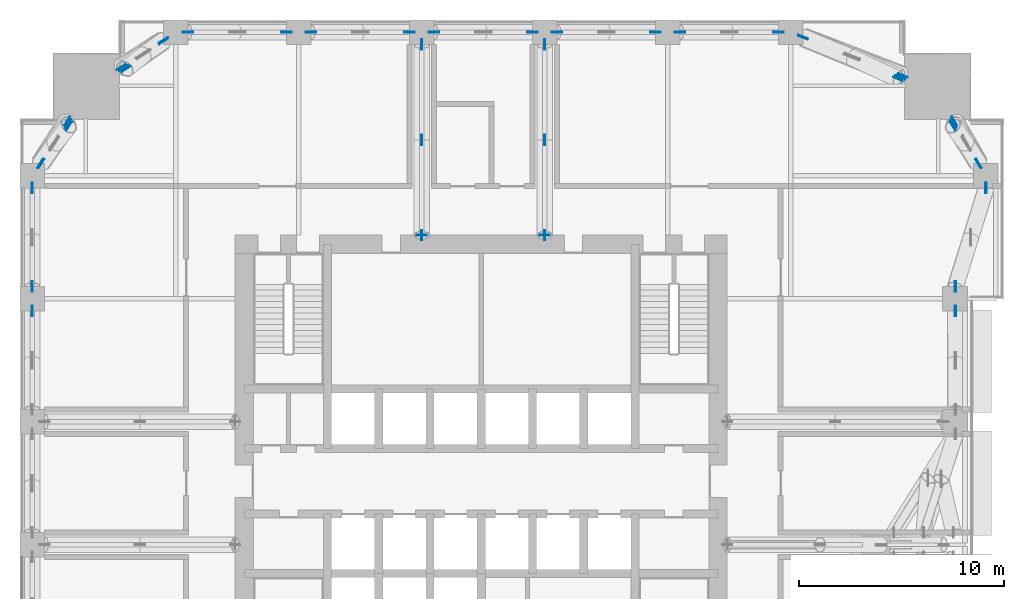
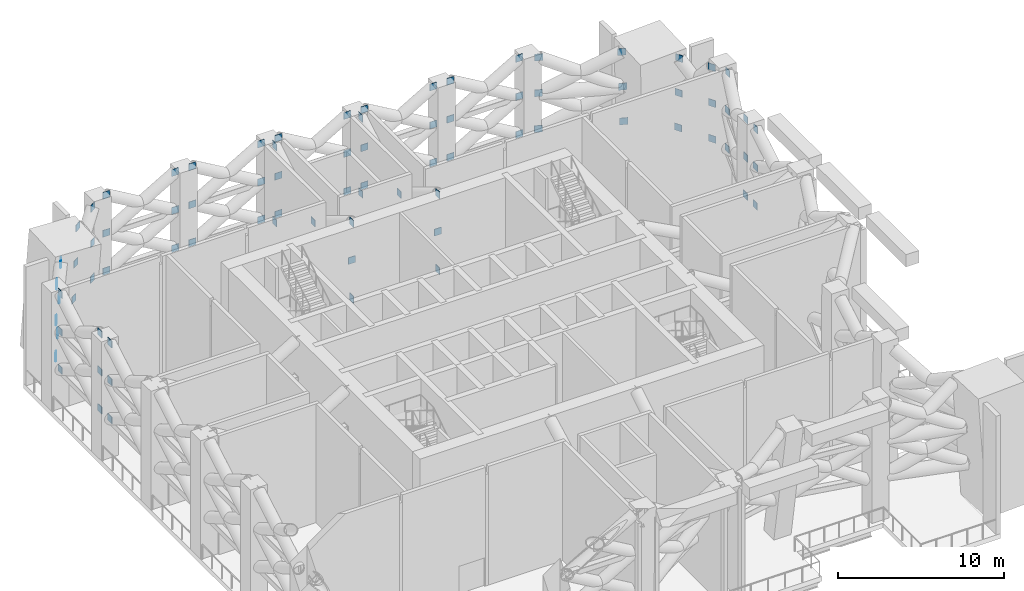
# One storey, part 14 of 18: 84 discrete accessories.
"""IFC4 building model written with IfcOpenShell, lengths in metres."""

from ifc_helpers import new_model, si_unit, direction, frame, origin, origin_2d, place, context, subcontext, project, spatial, rectangle, extrude, element, save


model = new_model("IFC4")

# Units and contexts
model_context = context("Model", 3, precision=1e-05, world=origin(), true_north=direction((0.0, 1.0)))
body_context = subcontext(model_context, "Body", "Model", "MODEL_VIEW")
ifc_project = project(units=[si_unit("LENGTHUNIT", "METRE"), si_unit("AREAUNIT", "SQUARE_METRE"), si_unit("VOLUMEUNIT", "CUBIC_METRE"), si_unit("PLANEANGLEUNIT", "RADIAN"), si_unit("MASSUNIT", "GRAM", prefix="KILO")], contexts=[model_context])

# Site, building, storey
site_placement = place(None, origin())
site = spatial("IfcSite", under=ifc_project, at=site_placement, CompositionType="ELEMENT")
building_placement = place(site_placement, origin())
building = spatial("IfcBuilding", under=site, at=building_placement, Name="Amberfall Residences", CompositionType="ELEMENT")
storey_placement = place(building_placement, frame((0.0, 0.0, 69.699951171875)))
storey = spatial("IfcBuildingStorey", under=building, at=storey_placement, Name="L19", CompositionType="ELEMENT", Elevation=69.699951171875)

# Discrete accessories
discrete_accessory_1_placement = place(storey_placement, frame((71.60009765625, 57.5, 5.449951171875), z_axis=(0.0, 0.0, 1.0), x_axis=(0.0, 1.0, 0.0)))
element("IfcDiscreteAccessory", 1, at=discrete_accessory_1_placement, inside=storey, Name="Cast-in plate L19", PredefinedType="BRACKET", context=body_context, shape_type="SweptSolid", body=[
    extrude(rectangle(XDim=0.0400390625, YDim=0.5, at=origin_2d()), origin(), (0.0, 0.0, 1.0), 0.5),
])
for number, where, z_axis, x_axis, name in (
    (2, (71.60009765625, 66.800048828125, 2.650146484375), (0.0, 0.0, 1.0), (0.0, 1.0, 0.0), "Connection plate L19"),
    (3, (71.60009765625, 62.14990234375, 5.449951171875), (0.0, 0.0, 1.0), (0.0, 1.0, 0.0), "Connection plate L19"),
    (4, (71.60009765625, 57.5, 2.650146484375), (0.0, 0.0, 1.0), (0.0, 1.0, 0.0), "Connection plate L19"),
    (5, (71.60009765625, 66.800048828125, 8.25), (0.0, 0.0, 1.0), (0.0, 1.0, 0.0), "Connection plate L19"),
    (6, (71.60009765625, 57.5, 8.25), (0.0, 0.0, 1.0), (0.0, 1.0, 0.0), "Connection plate L19"),
):
    element("IfcDiscreteAccessory", number, at=place(storey_placement, frame(where, z_axis=z_axis, x_axis=x_axis)), inside=storey, Name=name, PredefinedType="BRACKET", context=body_context, shape_type="SweptSolid", body=[
        extrude(rectangle(XDim=0.5, YDim=0.0400390625, at=origin_2d()), origin(), (0.0, 0.0, 1.0), 0.5),
    ])
discrete_accessory_2_placement = place(storey_placement, frame((77.60009765625, 57.5, 5.449951171875), z_axis=(0.0, 0.0, 1.0), x_axis=(0.0, 1.0, 0.0)))
element("IfcDiscreteAccessory", 7, at=discrete_accessory_2_placement, inside=storey, Name="Cast-in plate L19", PredefinedType="BRACKET", context=body_context, shape_type="SweptSolid", body=[
    extrude(rectangle(XDim=0.0400390625, YDim=0.5, at=origin_2d()), origin(), (0.0, 0.0, 1.0), 0.5),
])
for number, where, z_axis, x_axis, name in (
    (8, (77.60009765625, 66.800048828125, 2.650146484375), (0.0, 0.0, 1.0), (0.0, 1.0, 0.0), "Connection plate L19"),
    (9, (77.60009765625, 62.14990234375, 5.449951171875), (0.0, 0.0, 1.0), (0.0, 1.0, 0.0), "Connection plate L19"),
    (10, (77.60009765625, 57.5, 2.650146484375), (0.0, 0.0, 1.0), (0.0, 1.0, 0.0), "Connection plate L19"),
    (11, (77.60009765625, 66.800048828125, 8.25), (0.0, 0.0, 1.0), (0.0, 1.0, 0.0), "Connection plate L19"),
    (12, (77.60009765625, 57.5, 8.25), (0.0, 0.0, 1.0), (0.0, 1.0, 0.0), "Connection plate L19"),
    (13, (97.63232421875, 53.800048828125, 5.449951171875), (0.0, 0.0, 1.0), (0.0, 1.0, 0.0), "Connection plate L19"),
    (14, (97.617431640625, 53.800048828125, 2.650146484375), (0.0, 0.0, 1.0), (0.0, 1.0, 0.0), "Connection plate L19"),
    (15, (97.647216796875, 53.800048828125, 8.25), (0.0, 0.0, 1.0), (0.0, 1.0, 0.0), "Connection plate L19"),
    (16, (97.617431640625, 55.0, 2.650146484375), (0.0, 0.0, 1.0), (0.0, 1.0, 0.0), "Connection plate L19"),
    (17, (99.13232421875, 59.800048828125, 5.449951171875), (0.0, 0.0, 1.0), (0.0, 1.0, 0.0), "Connection plate L19"),
    (18, (97.63232421875, 55.0, 5.449951171875), (0.0, 0.0, 1.0), (0.0, 1.0, 0.0), "Connection plate L19"),
    (19, (99.117431640625, 59.800048828125, 2.650146484375), (0.0, 0.0, 1.0), (0.0, 1.0, 0.0), "Connection plate L19"),
    (20, (99.147216796875, 59.800048828125, 8.25), (0.0, 0.0, 1.0), (0.0, 1.0, 0.0), "Connection plate L19"),
    (21, (97.647216796875, 55.0, 8.25), (0.0, 0.0, 1.0), (0.0, 1.0, 0.0), "Connection plate L19"),
    (22, (60.199951171875, 67.39990234375, 2.650146484375), (0.0, 0.0, 1.0), (1.0, 0.0, 0.0), "Connection plate L19"),
    (23, (65.0, 67.39990234375, 5.449951171875), (0.0, 0.0, 1.0), (1.0, 0.0, 0.0), "Connection plate L19"),
    (24, (60.199951171875, 67.39990234375, 5.449951171875), (0.0, 0.0, 1.0), (1.0, 0.0, 0.0), "Connection plate L19"),
    (25, (65.0, 67.39990234375, 2.650146484375), (0.0, 0.0, 1.0), (1.0, 0.0, 0.0), "Connection plate L19"),
    (26, (65.0, 67.39990234375, 8.25), (0.0, 0.0, 1.0), (1.0, 0.0, 0.0), "Connection plate L19"),
    (27, (60.199951171875, 67.39990234375, 8.25), (0.0, 0.0, 1.0), (1.0, 0.0, 0.0), "Connection plate L19"),
    (28, (66.199951171875, 67.39990234375, 2.650146484375), (0.0, 0.0, 1.0), (1.0, 0.0, 0.0), "Connection plate L19"),
    (29, (71.0, 67.39990234375, 5.449951171875), (0.0, 0.0, 1.0), (1.0, 0.0, 0.0), "Connection plate L19"),
    (30, (66.199951171875, 67.39990234375, 5.449951171875), (0.0, 0.0, 1.0), (1.0, 0.0, 0.0), "Connection plate L19"),
    (31, (71.0, 67.39990234375, 2.650146484375), (0.0, 0.0, 1.0), (1.0, 0.0, 0.0), "Connection plate L19"),
    (32, (71.0, 67.39990234375, 8.25), (0.0, 0.0, 1.0), (1.0, 0.0, 0.0), "Connection plate L19"),
    (33, (66.199951171875, 67.39990234375, 8.25), (0.0, 0.0, 1.0), (1.0, 0.0, 0.0), "Connection plate L19"),
    (34, (72.199951171875, 67.39990234375, 2.650146484375), (0.0, 0.0, 1.0), (1.0, 0.0, 0.0), "Connection plate L19"),
    (35, (77.0, 67.39990234375, 5.449951171875), (0.0, 0.0, 1.0), (1.0, 0.0, 0.0), "Connection plate L19"),
    (36, (72.199951171875, 67.39990234375, 5.449951171875), (0.0, 0.0, 1.0), (1.0, 0.0, 0.0), "Connection plate L19"),
    (37, (77.0, 67.39990234375, 2.650146484375), (0.0, 0.0, 1.0), (1.0, 0.0, 0.0), "Connection plate L19"),
    (38, (77.0, 67.39990234375, 8.25), (0.0, 0.0, 1.0), (1.0, 0.0, 0.0), "Connection plate L19"),
    (39, (72.199951171875, 67.39990234375, 8.25), (0.0, 0.0, 1.0), (1.0, 0.0, 0.0), "Connection plate L19"),
    (40, (78.199951171875, 67.39990234375, 2.650146484375), (0.0, 0.0, 1.0), (1.0, 0.0, 0.0), "Connection plate L19"),
    (41, (83.0, 67.39990234375, 5.449951171875), (0.0, 0.0, 1.0), (1.0, 0.0, 0.0), "Connection plate L19"),
    (42, (78.199951171875, 67.39990234375, 5.449951171875), (0.0, 0.0, 1.0), (1.0, 0.0, 0.0), "Connection plate L19"),
    (43, (83.0, 67.39990234375, 2.650146484375), (0.0, 0.0, 1.0), (1.0, 0.0, 0.0), "Connection plate L19"),
    (44, (83.0, 67.39990234375, 8.25), (0.0, 0.0, 1.0), (1.0, 0.0, 0.0), "Connection plate L19"),
    (45, (78.199951171875, 67.39990234375, 8.25), (0.0, 0.0, 1.0), (1.0, 0.0, 0.0), "Connection plate L19"),
    (46, (84.199951171875, 67.39990234375, 2.650146484375), (0.0, 0.0, 1.0), (1.0, 0.0, 0.0), "Connection plate L19"),
    (47, (89.0, 67.39990234375, 5.449951171875), (0.0, 0.0, 1.0), (1.0, 0.0, 0.0), "Connection plate L19"),
    (48, (84.199951171875, 67.39990234375, 5.449951171875), (0.0, 0.0, 1.0), (1.0, 0.0, 0.0), "Connection plate L19"),
    (49, (89.0, 67.39990234375, 2.650146484375), (0.0, 0.0, 1.0), (1.0, 0.0, 0.0), "Connection plate L19"),
    (50, (89.0, 67.39990234375, 8.25), (0.0, 0.0, 1.0), (1.0, 0.0, 0.0), "Connection plate L19"),
    (51, (84.199951171875, 67.39990234375, 8.25), (0.0, 0.0, 1.0), (1.0, 0.0, 0.0), "Connection plate L19"),
    (52, (52.60009765625, 53.800048828125, 5.449951171875), (0.0, 0.0, 1.0), (0.0, 1.0, 0.0), "Connection plate L19"),
    (53, (52.60009765625, 53.800048828125, 2.650146484375), (0.0, 0.0, 1.0), (0.0, 1.0, 0.0), "Connection plate L19"),
    (54, (52.60009765625, 53.800048828125, 8.25), (0.0, 0.0, 1.0), (0.0, 1.0, 0.0), "Connection plate L19"),
    (55, (52.60009765625, 55.0, 2.650146484375), (0.0, 0.0, 1.0), (0.0, 1.0, 0.0), "Connection plate L19"),
    (56, (52.60009765625, 59.800048828125, 5.449951171875), (0.0, 0.0, 1.0), (0.0, 1.0, 0.0), "Connection plate L19"),
    (57, (52.60009765625, 55.0, 5.449951171875), (0.0, 0.0, 1.0), (0.0, 1.0, 0.0), "Connection plate L19"),
    (58, (52.60009765625, 59.800048828125, 2.650146484375), (0.0, 0.0, 1.0), (0.0, 1.0, 0.0), "Connection plate L19"),
    (59, (52.60009765625, 59.800048828125, 8.25), (0.0, 0.0, 1.0), (0.0, 1.0, 0.0), "Connection plate L19"),
    (60, (52.60009765625, 55.0, 8.25), (0.0, 0.0, 1.0), (0.0, 1.0, 0.0), "Connection plate L19"),
    (61, (97.587158203125, 63.068115234375, 2.75), (0.0, 0.0, 1.0), (0.492666590061, -0.870218151407, 0.0), "Connection plate L19"),
    (62, (98.758056640625, 61.0, 5.396484375), (0.0, 0.0, 1.0), (0.492666590061, -0.870218151407, 0.0), "Connection plate L19"),
    (63, (97.544921875, 62.94677734375, 5.396484375), (0.0, 0.0, 1.0), (0.492666590061, -0.870218151407, 0.0), "Connection plate L19"),
    (64, (98.773681640625, 61.0, 2.75), (0.0, 0.0, 1.0), (0.492666590061, -0.870218151407, 0.0), "Connection plate L19"),
    (65, (98.7412109375, 61.0, 8.04296875), (0.0, 0.0, 1.0), (0.523539870984, -0.852001175756, 0.0), "Connection plate L19"),
    (66, (97.5078125, 62.8271484375, 8.04296875), (0.0, 0.0, 1.0), (0.523539870984, -0.852001175756, 0.0), "Connection plate L19"),
    (67, (95.06787109375, 65.28759765625, 2.75), (0.0, 0.0, 1.0), (-0.933742952587, 0.357944267303, 0.0), "Connection plate L19"),
    (68, (90.199951171875, 67.153564453125, 5.396484375), (0.0, 0.0, 1.0), (-0.933742952587, 0.357944267303, 0.0), "Connection plate L19"),
    (69, (94.9462890625, 65.20458984375, 5.396484375), (0.0, 0.0, 1.0), (-0.933742952587, 0.357944267303, 0.0), "Connection plate L19"),
    (70, (90.199951171875, 67.168212890625, 2.75), (0.0, 0.0, 1.0), (-0.933742952587, 0.357944267303, 0.0), "Connection plate L19"),
    (71, (90.199951171875, 67.138916015625, 8.04296875), (0.0, 0.0, 1.0), (-0.926061708613, 0.377372113226, 0.0), "Connection plate L19"),
    (72, (94.826904296875, 65.124755859375, 8.04296875), (0.0, 0.0, 1.0), (-0.926061708613, 0.377372113226, 0.0), "Connection plate L19"),
    (73, (56.931640625, 65.69287109375, 2.75), (0.0, 0.0, 1.0), (0.847687195123, 0.530496389455, 0.0), "Connection plate L19"),
    (74, (59.0, 66.9873046875, 5.396484375), (0.0, 0.0, 1.0), (0.847687195123, 0.530496389455, 0.0), "Connection plate L19"),
    (75, (57.05322265625, 65.648193359375, 5.396484375), (0.0, 0.0, 1.0), (0.847687195123, 0.530496389455, 0.0), "Connection plate L19"),
    (76, (59.0, 67.01611328125, 2.75), (0.0, 0.0, 1.0), (0.847687195123, 0.530496389455, 0.0), "Connection plate L19"),
    (77, (59.0, 66.957275390625, 8.04296875), (0.0, 0.0, 1.0), (0.829856500918, 0.557976870385, 0.0), "Connection plate L19"),
    (78, (57.172607421875, 65.60888671875, 8.04296875), (0.0, 0.0, 1.0), (0.829856500918, 0.557976870385, 0.0), "Connection plate L19"),
    (79, (54.30712890625, 63.068359375, 2.75), (0.0, 0.0, 1.0), (-0.530496389455, -0.847687195123, 0.0), "Connection plate L19"),
    (80, (53.0126953125, 61.0, 5.396484375), (0.0, 0.0, 1.0), (-0.530496389455, -0.847687195123, 0.0), "Connection plate L19"),
    (81, (54.351806640625, 62.94677734375, 5.396484375), (0.0, 0.0, 1.0), (-0.530496389455, -0.847687195123, 0.0), "Connection plate L19"),
    (82, (52.98388671875, 61.0, 2.75), (0.0, 0.0, 1.0), (-0.530496389455, -0.847687195123, 0.0), "Connection plate L19"),
    (83, (53.042724609375, 61.0, 8.04296875), (0.0, 0.0, 1.0), (-0.557976870385, -0.829856500918, 0.0), "Connection plate L19"),
    (84, (54.39111328125, 62.827392578125, 8.04296875), (0.0, 0.0, 1.0), (-0.557976870385, -0.829856500918, 0.0), "Connection plate L19"),
):
    element("IfcDiscreteAccessory", number, at=place(storey_placement, frame(where, z_axis=z_axis, x_axis=x_axis)), inside=storey, Name=name, PredefinedType="BRACKET", context=body_context, shape_type="SweptSolid", body=[
        extrude(rectangle(XDim=0.5, YDim=0.0400390625, at=origin_2d()), origin(), (0.0, 0.0, 1.0), 0.5),
    ])

save(model, "model.ifc")
